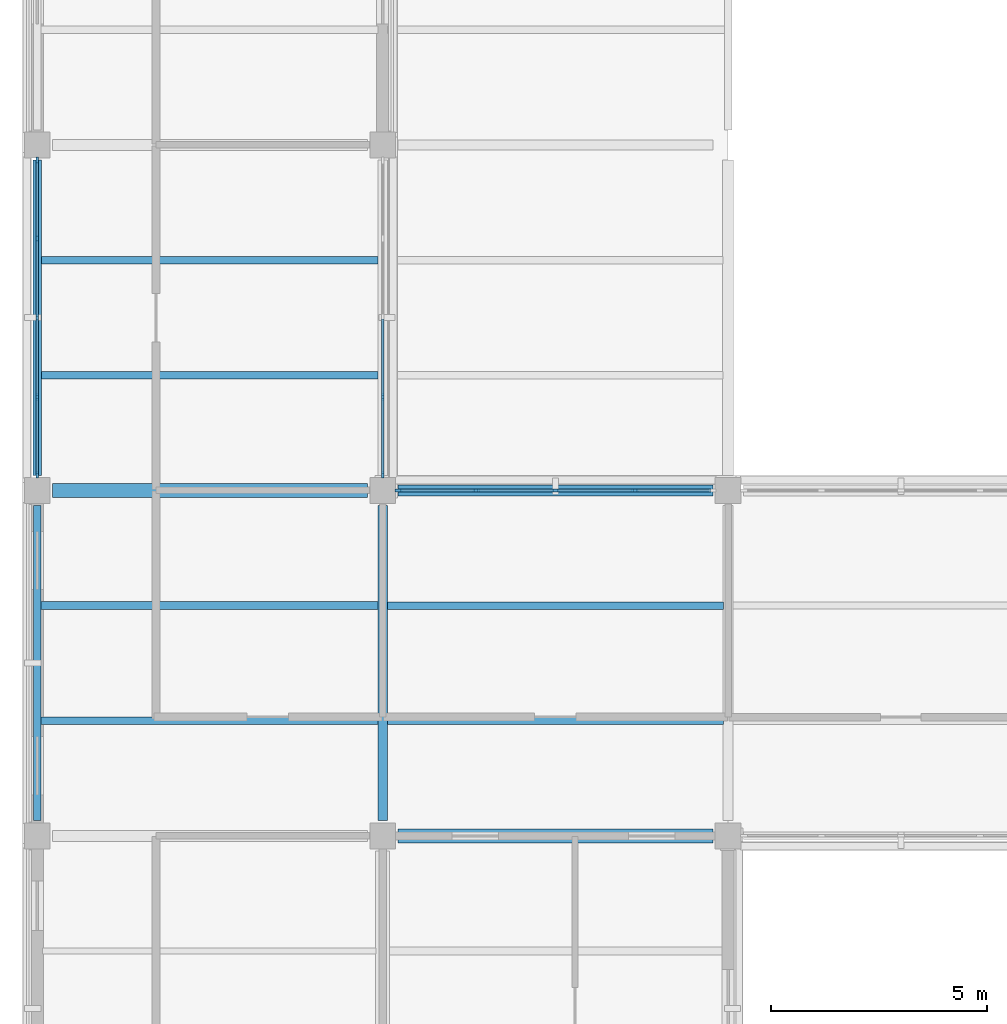
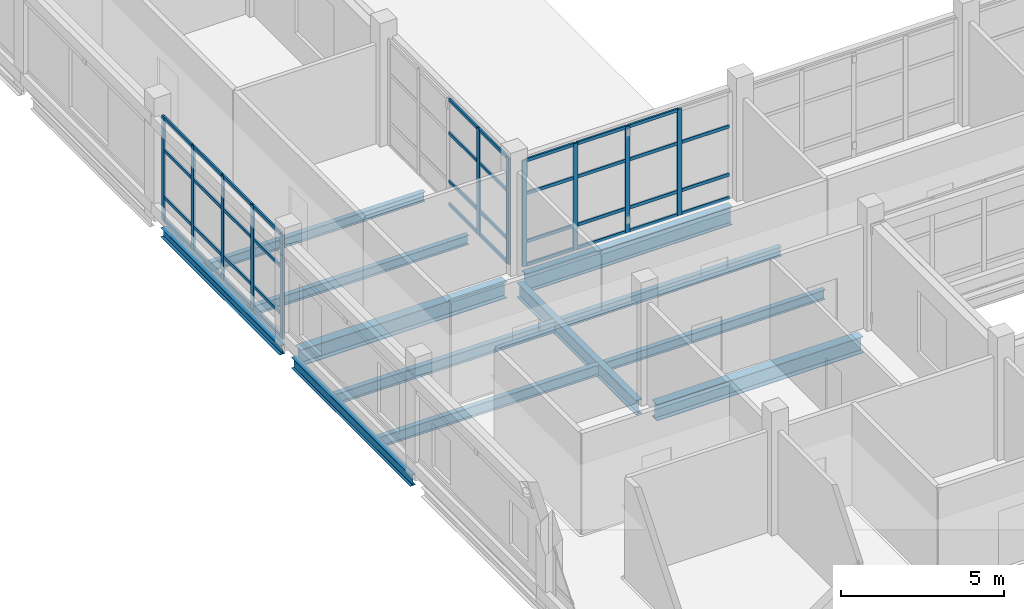
# One storey, part 15 of 121: 50 members, 12 beams, 3 elements without a shape of their own.
"""IFC4 building model written with IfcOpenShell, lengths in metres."""

from ifc_helpers import new_model, si_unit, derived_unit, direction, frame, origin, origin_2d, place, context, subcontext, project, spatial, rectangle, i_section, extrude, material, layer, layer_set, material_profile, profile_set, type_object, element, aggregate, save


model = new_model("IFC4")

# Units and contexts
model_context = context("Model", 3, precision=1e-05, world=origin(), true_north=direction((0.0, 1.0)))
body_context = subcontext(model_context, "Body", "Model", "MODEL_VIEW")
ifc_project = project(units=[si_unit("LENGTHUNIT", "METRE"), si_unit("AREAUNIT", "SQUARE_METRE"), si_unit("VOLUMEUNIT", "CUBIC_METRE"), si_unit("PLANEANGLEUNIT", "RADIAN"), si_unit("MASSUNIT", "GRAM", prefix="KILO"), derived_unit("THERMALTRANSMITTANCEUNIT", [(si_unit("MASSUNIT", "GRAM", prefix="KILO"), 1), (si_unit("TIMEUNIT", "SECOND"), -3), (si_unit("THERMODYNAMICTEMPERATUREUNIT", "KELVIN"), -1)])], contexts=[model_context])

# Site, building, storey
site_placement = place(None, origin())
site = spatial("IfcSite", under=ifc_project, at=site_placement, CompositionType="ELEMENT")
building_placement = place(site_placement, origin())
building = spatial("IfcBuilding", under=site, at=building_placement, Name="Veyamyaing Civic Hall", CompositionType="ELEMENT")
storey_placement = place(building_placement, frame((0.0, 0.0, 5.280029296875)))
storey = spatial("IfcBuildingStorey", under=building, at=storey_placement, Name="L01", CompositionType="ELEMENT", Elevation=5.280029296875)

# Beams
ifc_material_1 = material(Name="Steel ASTM A992", Category="steel")
ifc_material_profile_1 = material_profile(ifc_material_1, i_section(OverallWidth=0.256103515625, OverallDepth=0.693115234375, WebThickness=0.014404296875, FlangeThickness=0.023681640625, FilletRadius=0.013916015625, at=origin_2d()), Name="W690X170")
ifc_profile_set_1 = profile_set([ifc_material_profile_1], Name="Steel ASTM A992")
beam_type_1 = type_object("IfcBeamType", Name="B-04", PredefinedType="BEAM", material=ifc_profile_set_1)
beam_1_placement = place(storey_placement, frame((8.35009765625, 56.0, -0.591552734375), z_axis=(1.0, 0.0, 0.0), x_axis=(0.0, 1.0, 0.0)))
element("IfcBeam", 1, at=beam_1_placement, inside=storey, type_object=beam_type_1, Name="Girder B-04 L01 Grid H 2-3", PredefinedType="BEAM", context=body_context, shape_type="SweptSolid", body=[
    extrude(i_section(OverallWidth=0.256103515625, OverallDepth=0.693115234375, WebThickness=0.014404296875, FlangeThickness=0.023681640625, FilletRadius=0.013916015625, at=origin_2d()), origin(), (0.0, 0.0, 1.0), 7.2998046875),
])
ifc_material_profile_2 = material_profile(ifc_material_1, i_section(OverallWidth=0.179931640625, OverallDepth=0.4130859375, WebThickness=0.009765625, FlangeThickness=0.01611328125, FilletRadius=0.010009765625, at=origin_2d()), Name="W410X74")
ifc_profile_set_2 = profile_set([ifc_material_profile_2], Name="Steel ASTM A992")
beam_type_2 = type_object("IfcBeamType", Name="B-10", PredefinedType="SPANDREL", material=ifc_profile_set_2)
beam_2_placement = place(storey_placement, frame((0.0, 48.35009765625, -0.451416015625), z_axis=(0.0, 1.0, 0.0), x_axis=(-1.0, 0.0, 0.0)))
element("IfcBeam", 2, at=beam_2_placement, inside=storey, type_object=beam_type_2, Name="Girder B-10 L01 Grid 1 G-H", PredefinedType="SPANDREL", context=body_context, shape_type="SweptSolid", body=[
    extrude(i_section(OverallWidth=0.179931640625, OverallDepth=0.4130859375, WebThickness=0.009765625, FlangeThickness=0.01611328125, FilletRadius=0.010009765625, at=origin_2d()), origin(), (0.0, 0.0, 1.0), 7.2998046875),
])
ifc_material_profile_3 = material_profile(ifc_material_1, i_section(OverallWidth=0.2041015625, OverallDepth=0.35009765625, WebThickness=0.0078125, FlangeThickness=0.01513671875, FilletRadius=0.010009765625, at=origin_2d()), Name="W360X72")
ifc_profile_set_3 = profile_set([ifc_material_profile_3], Name="Steel ASTM A992")
beam_type_3 = type_object("IfcBeamType", Name="B-11", PredefinedType="SPANDREL", material=ifc_profile_set_3)
beam_3_placement = place(storey_placement, frame((0.0, 56.35009765625, -0.419921875), z_axis=(0.0, 1.0, 0.0), x_axis=(-1.0, 0.0, 0.0)))
element("IfcBeam", 3, at=beam_3_placement, inside=storey, type_object=beam_type_3, Name="Girder B-11 L01 Grid 1 H-J", PredefinedType="SPANDREL", context=body_context, shape_type="SweptSolid", body=[
    extrude(i_section(OverallWidth=0.2041015625, OverallDepth=0.35009765625, WebThickness=0.0078125, FlangeThickness=0.01513671875, FilletRadius=0.010009765625, at=origin_2d()), origin(), (0.0, 0.0, 1.0), 7.2998046875),
])
ifc_material_profile_4 = material_profile(ifc_material_1, i_section(OverallWidth=0.324951171875, OverallDepth=0.615966796875, WebThickness=0.013916015625, FlangeThickness=0.021484375, FilletRadius=0.013916015625, at=origin_2d()), Name="W610X174")
ifc_profile_set_4 = profile_set([ifc_material_profile_4], Name="Steel ASTM A992")
beam_type_4 = type_object("IfcBeamType", Name="B-15", PredefinedType="BEAM", material=ifc_profile_set_4)
for number, where, z_axis, x_axis, name in (
    (4, (8.35009765625, 48.0, -0.552978515625), (1.0, 0.0, 0.0), (0.0, 1.0, 0.0), "Girder B-15 L01 Grid G 2-3"),
    (5, (0.35009765625, 56.0, -0.552978515625), (1.0, 0.0, 0.0), (0.0, 1.0, 0.0), "Girder B-15 L01 Grid H 1-2"),
):
    element("IfcBeam", number, at=place(storey_placement, frame(where, z_axis=z_axis, x_axis=x_axis)), inside=storey, type_object=beam_type_4, Name=name, PredefinedType="BEAM", context=body_context, shape_type="SweptSolid", body=[
        extrude(i_section(OverallWidth=0.324951171875, OverallDepth=0.615966796875, WebThickness=0.013916015625, FlangeThickness=0.021484375, FilletRadius=0.013916015625, at=origin_2d()), origin(), (0.0, 0.0, 1.0), 7.2998046875),
    ])
ifc_material_profile_5 = material_profile(ifc_material_1, i_section(OverallWidth=0.214111328125, OverallDepth=0.549072265625, WebThickness=0.0146484375, FlangeThickness=0.023681640625, FilletRadius=0.011962890625, at=origin_2d()), Name="W530X138")
ifc_profile_set_5 = profile_set([ifc_material_profile_5], Name="Steel ASTM A992")
beam_type_5 = type_object("IfcBeamType", Name="B-16", PredefinedType="BEAM", material=ifc_profile_set_5)
beam_4_placement = place(storey_placement, frame((8.0, 48.35009765625, -0.51953125), z_axis=(0.0, 1.0, 0.0), x_axis=(-1.0, 0.0, 0.0)))
element("IfcBeam", 6, at=beam_4_placement, inside=storey, type_object=beam_type_5, Name="Girder B-16 L01 Grid 2 G-H", PredefinedType="BEAM", context=body_context, shape_type="SweptSolid", body=[
    extrude(i_section(OverallWidth=0.214111328125, OverallDepth=0.549072265625, WebThickness=0.0146484375, FlangeThickness=0.023681640625, FilletRadius=0.011962890625, at=origin_2d()), origin(), (0.0, 0.0, 1.0), 7.2998046875),
])

# Curtain wall, members
ifc_material_2 = material(Name="Anodised aluminium 6063-T6", Category="aluminium")
ifc_layer = layer(ifc_material_2, 0.159912109375, Name="Anodised aluminium 6063-T6")
ifc_layer_set = layer_set([ifc_layer], Name="Anodised aluminium 6063-T6")
curtain_wall_type = type_object("IfcCurtainWallType", Name="CW-02", PredefinedType="NOTDEFINED", material=ifc_layer_set)
curtain_wall_1_placement = place(storey_placement, origin())
curtain_wall_1 = element("IfcCurtainWall", 7, at=curtain_wall_1_placement, inside=storey, type_object=curtain_wall_type, Name="Unitized curtain wall CW-02 L01 W 1.8", PredefinedType="NOTDEFINED")
ifc_material_profile_6 = material_profile(ifc_material_2, rectangle(XDim=0.06494140625, YDim=0.159912109375, at=origin_2d()), Name="ALU-MUL-65X160")
ifc_profile_set_6 = profile_set([ifc_material_profile_6], Name="Anodised aluminium 6063-T6")
member_type_1 = type_object("IfcMemberType", Name="CWM-01", PredefinedType="MULLION", material=ifc_profile_set_6)
member_1_placement = place(storey_placement, frame((0.0, 56.362548828125, 0.0), z_axis=(0.0, 0.0, 1.0), x_axis=(-1.0, 0.0, 0.0)))
member_1 = element("IfcMember", 8, at=member_1_placement, type_object=member_type_1, Name="CW-02 mullion 1", PredefinedType="MULLION", context=body_context, shape_type="SweptSolid", body=[
    extrude(rectangle(XDim=0.06494140625, YDim=0.159912109375, at=origin_2d()), origin(), (0.0, 0.0, 1.0), 3.909912109375),
])
member_2_placement = place(storey_placement, frame((0.0, 58.1650390625, 0.0), z_axis=(0.0, 0.0, 1.0), x_axis=(-1.0, 0.0, 0.0)))
member_2 = element("IfcMember", 9, at=member_2_placement, type_object=member_type_1, Name="CW-02 mullion 2", PredefinedType="MULLION", context=body_context, shape_type="SweptSolid", body=[
    extrude(rectangle(XDim=0.06494140625, YDim=0.159912109375, at=origin_2d()), origin(), (0.0, 0.0, 1.0), 3.909912109375),
])
member_3_placement = place(storey_placement, frame((0.0, 60.0, 0.0), z_axis=(0.0, 0.0, 1.0), x_axis=(-1.0, 0.0, 0.0)))
member_3 = element("IfcMember", 10, at=member_3_placement, type_object=member_type_1, Name="CW-02 mullion 3", PredefinedType="MULLION", context=body_context, shape_type="SweptSolid", body=[
    extrude(rectangle(XDim=0.06494140625, YDim=0.159912109375, at=origin_2d()), origin(), (0.0, 0.0, 1.0), 3.909912109375),
])
member_4_placement = place(storey_placement, frame((0.0, 61.8349609375, 0.0), z_axis=(0.0, 0.0, 1.0), x_axis=(-1.0, 0.0, 0.0)))
member_4 = element("IfcMember", 11, at=member_4_placement, type_object=member_type_1, Name="CW-02 mullion 4", PredefinedType="MULLION", context=body_context, shape_type="SweptSolid", body=[
    extrude(rectangle(XDim=0.06494140625, YDim=0.159912109375, at=origin_2d()), origin(), (0.0, 0.0, 1.0), 3.909912109375),
])
member_5_placement = place(storey_placement, frame((0.0, 63.637451171875, 0.0), z_axis=(0.0, 0.0, 1.0), x_axis=(-1.0, 0.0, 0.0)))
member_5 = element("IfcMember", 12, at=member_5_placement, type_object=member_type_1, Name="CW-02 mullion 5", PredefinedType="MULLION", context=body_context, shape_type="SweptSolid", body=[
    extrude(rectangle(XDim=0.06494140625, YDim=0.159912109375, at=origin_2d()), origin(), (0.0, 0.0, 1.0), 3.909912109375),
])

curtain_wall_2_placement = place(storey_placement, origin())
curtain_wall_2 = element("IfcCurtainWall", 13, at=curtain_wall_2_placement, inside=storey, type_object=curtain_wall_type, Name="Unitized curtain wall CW-02 L01 E 1.8", PredefinedType="NOTDEFINED")
member_6_placement = place(storey_placement, frame((8.0, 56.362548828125, 0.0), z_axis=(0.0, 0.0, 1.0), x_axis=(-1.0, 0.0, 0.0)))
member_6 = element("IfcMember", 14, at=member_6_placement, type_object=member_type_1, Name="CW-02 mullion 1", PredefinedType="MULLION", context=body_context, shape_type="SweptSolid", body=[
    extrude(rectangle(XDim=0.06494140625, YDim=0.159912109375, at=origin_2d()), origin(), (0.0, 0.0, 1.0), 3.973876953125),
])
member_7_placement = place(storey_placement, frame((8.0, 58.1650390625, 0.0), z_axis=(0.0, 0.0, 1.0), x_axis=(-1.0, 0.0, 0.0)))
member_7 = element("IfcMember", 15, at=member_7_placement, type_object=member_type_1, Name="CW-02 mullion 2", PredefinedType="MULLION", context=body_context, shape_type="SweptSolid", body=[
    extrude(rectangle(XDim=0.06494140625, YDim=0.159912109375, at=origin_2d()), origin(), (0.0, 0.0, 1.0), 3.973876953125),
])

curtain_wall_3_placement = place(storey_placement, origin())
curtain_wall_3 = element("IfcCurtainWall", 16, at=curtain_wall_3_placement, inside=storey, type_object=curtain_wall_type, Name="Unitized curtain wall CW-02 L01 N 2.7", PredefinedType="NOTDEFINED")
member_8_placement = place(storey_placement, frame((8.362548828125, 56.0, 0.0), z_axis=(0.0, 0.0, 1.0), x_axis=(0.0, 1.0, 0.0)))
member_8 = element("IfcMember", 17, at=member_8_placement, type_object=member_type_1, Name="CW-02 mullion 1", PredefinedType="MULLION", context=body_context, shape_type="SweptSolid", body=[
    extrude(rectangle(XDim=0.06494140625, YDim=0.159912109375, at=origin_2d()), origin(), (0.0, 0.0, 1.0), 3.973876953125),
])
member_9_placement = place(storey_placement, frame((10.1650390625, 56.0, 0.0), z_axis=(0.0, 0.0, 1.0), x_axis=(0.0, 1.0, 0.0)))
member_9 = element("IfcMember", 18, at=member_9_placement, type_object=member_type_1, Name="CW-02 mullion 2", PredefinedType="MULLION", context=body_context, shape_type="SweptSolid", body=[
    extrude(rectangle(XDim=0.06494140625, YDim=0.159912109375, at=origin_2d()), origin(), (0.0, 0.0, 1.0), 3.973876953125),
])
member_10_placement = place(storey_placement, frame((12.0, 56.0, 0.0), z_axis=(0.0, 0.0, 1.0), x_axis=(0.0, 1.0, 0.0)))
member_10 = element("IfcMember", 19, at=member_10_placement, type_object=member_type_1, Name="CW-02 mullion 3", PredefinedType="MULLION", context=body_context, shape_type="SweptSolid", body=[
    extrude(rectangle(XDim=0.06494140625, YDim=0.159912109375, at=origin_2d()), origin(), (0.0, 0.0, 1.0), 3.973876953125),
])
member_11_placement = place(storey_placement, frame((13.8349609375, 56.0, 0.0), z_axis=(0.0, 0.0, 1.0), x_axis=(0.0, 1.0, 0.0)))
member_11 = element("IfcMember", 20, at=member_11_placement, type_object=member_type_1, Name="CW-02 mullion 4", PredefinedType="MULLION", context=body_context, shape_type="SweptSolid", body=[
    extrude(rectangle(XDim=0.06494140625, YDim=0.159912109375, at=origin_2d()), origin(), (0.0, 0.0, 1.0), 3.973876953125),
])

# Member
ifc_material_profile_7 = material_profile(ifc_material_2, rectangle(XDim=0.06494140625, YDim=0.1201171875, at=origin_2d()), Name="ALU-TRN-65X120")
ifc_profile_set_7 = profile_set([ifc_material_profile_7], Name="Anodised aluminium 6063-T6")
member_type_2 = type_object("IfcMemberType", Name="CWT-01", PredefinedType="USERDEFINED", material=ifc_profile_set_7)
member_12_placement = place(storey_placement, frame((0.0, 56.39501953125, 0.032470703125), z_axis=(0.0, 1.0, 0.0), x_axis=(-1.0, 0.0, 0.0)))
member_12 = element("IfcMember", 21, at=member_12_placement, type_object=member_type_2, Name="CW-02 transom 1.1", ObjectType="TRANSOM", PredefinedType="USERDEFINED", context=body_context, shape_type="SweptSolid", body=[
    extrude(rectangle(XDim=0.06494140625, YDim=0.1201171875, at=origin_2d()), origin(), (0.0, 0.0, 1.0), 1.737548828125),
])

member_13_placement = place(storey_placement, frame((0.0, 56.39501953125, 0.89990234375), z_axis=(0.0, 1.0, 0.0), x_axis=(-1.0, 0.0, 0.0)))
member_13 = element("IfcMember", 22, at=member_13_placement, type_object=member_type_2, Name="CW-02 transom 1.2", ObjectType="TRANSOM", PredefinedType="USERDEFINED", context=body_context, shape_type="SweptSolid", body=[
    extrude(rectangle(XDim=0.06494140625, YDim=0.1201171875, at=origin_2d()), origin(), (0.0, 0.0, 1.0), 1.737548828125),
])

member_14_placement = place(storey_placement, frame((0.0, 56.39501953125, 2.65869140625), z_axis=(0.0, 1.0, 0.0), x_axis=(-1.0, 0.0, 0.0)))
member_14 = element("IfcMember", 23, at=member_14_placement, type_object=member_type_2, Name="CW-02 transom 1.3", ObjectType="TRANSOM", PredefinedType="USERDEFINED", context=body_context, shape_type="SweptSolid", body=[
    extrude(rectangle(XDim=0.06494140625, YDim=0.1201171875, at=origin_2d()), origin(), (0.0, 0.0, 1.0), 1.737548828125),
])

member_15_placement = place(storey_placement, frame((0.0, 56.39501953125, 3.87744140625), z_axis=(0.0, 1.0, 0.0), x_axis=(-1.0, 0.0, 0.0)))
member_15 = element("IfcMember", 24, at=member_15_placement, type_object=member_type_2, Name="CW-02 transom 1.4", ObjectType="TRANSOM", PredefinedType="USERDEFINED", context=body_context, shape_type="SweptSolid", body=[
    extrude(rectangle(XDim=0.06494140625, YDim=0.1201171875, at=origin_2d()), origin(), (0.0, 0.0, 1.0), 1.737548828125),
])

member_16_placement = place(storey_placement, frame((0.0, 58.197509765625, 0.032470703125), z_axis=(0.0, 1.0, 0.0), x_axis=(-1.0, 0.0, 0.0)))
member_16 = element("IfcMember", 25, at=member_16_placement, type_object=member_type_2, Name="CW-02 transom 2.1", ObjectType="TRANSOM", PredefinedType="USERDEFINED", context=body_context, shape_type="SweptSolid", body=[
    extrude(rectangle(XDim=0.06494140625, YDim=0.1201171875, at=origin_2d()), origin(), (0.0, 0.0, 1.0), 1.77001953125),
])

member_17_placement = place(storey_placement, frame((0.0, 58.197509765625, 0.89990234375), z_axis=(0.0, 1.0, 0.0), x_axis=(-1.0, 0.0, 0.0)))
member_17 = element("IfcMember", 26, at=member_17_placement, type_object=member_type_2, Name="CW-02 transom 2.2", ObjectType="TRANSOM", PredefinedType="USERDEFINED", context=body_context, shape_type="SweptSolid", body=[
    extrude(rectangle(XDim=0.06494140625, YDim=0.1201171875, at=origin_2d()), origin(), (0.0, 0.0, 1.0), 1.77001953125),
])

member_18_placement = place(storey_placement, frame((0.0, 58.197509765625, 2.65869140625), z_axis=(0.0, 1.0, 0.0), x_axis=(-1.0, 0.0, 0.0)))
member_18 = element("IfcMember", 27, at=member_18_placement, type_object=member_type_2, Name="CW-02 transom 2.3", ObjectType="TRANSOM", PredefinedType="USERDEFINED", context=body_context, shape_type="SweptSolid", body=[
    extrude(rectangle(XDim=0.06494140625, YDim=0.1201171875, at=origin_2d()), origin(), (0.0, 0.0, 1.0), 1.77001953125),
])

member_19_placement = place(storey_placement, frame((0.0, 58.197509765625, 3.87744140625), z_axis=(0.0, 1.0, 0.0), x_axis=(-1.0, 0.0, 0.0)))
member_19 = element("IfcMember", 28, at=member_19_placement, type_object=member_type_2, Name="CW-02 transom 2.4", ObjectType="TRANSOM", PredefinedType="USERDEFINED", context=body_context, shape_type="SweptSolid", body=[
    extrude(rectangle(XDim=0.06494140625, YDim=0.1201171875, at=origin_2d()), origin(), (0.0, 0.0, 1.0), 1.77001953125),
])

member_20_placement = place(storey_placement, frame((0.0, 60.032470703125, 0.032470703125), z_axis=(0.0, 1.0, 0.0), x_axis=(-1.0, 0.0, 0.0)))
member_20 = element("IfcMember", 29, at=member_20_placement, type_object=member_type_2, Name="CW-02 transom 3.1", ObjectType="TRANSOM", PredefinedType="USERDEFINED", context=body_context, shape_type="SweptSolid", body=[
    extrude(rectangle(XDim=0.06494140625, YDim=0.1201171875, at=origin_2d()), origin(), (0.0, 0.0, 1.0), 1.77001953125),
])

member_21_placement = place(storey_placement, frame((0.0, 60.032470703125, 0.89990234375), z_axis=(0.0, 1.0, 0.0), x_axis=(-1.0, 0.0, 0.0)))
member_21 = element("IfcMember", 30, at=member_21_placement, type_object=member_type_2, Name="CW-02 transom 3.2", ObjectType="TRANSOM", PredefinedType="USERDEFINED", context=body_context, shape_type="SweptSolid", body=[
    extrude(rectangle(XDim=0.06494140625, YDim=0.1201171875, at=origin_2d()), origin(), (0.0, 0.0, 1.0), 1.77001953125),
])

member_22_placement = place(storey_placement, frame((0.0, 60.032470703125, 2.65869140625), z_axis=(0.0, 1.0, 0.0), x_axis=(-1.0, 0.0, 0.0)))
member_22 = element("IfcMember", 31, at=member_22_placement, type_object=member_type_2, Name="CW-02 transom 3.3", ObjectType="TRANSOM", PredefinedType="USERDEFINED", context=body_context, shape_type="SweptSolid", body=[
    extrude(rectangle(XDim=0.06494140625, YDim=0.1201171875, at=origin_2d()), origin(), (0.0, 0.0, 1.0), 1.77001953125),
])

member_23_placement = place(storey_placement, frame((0.0, 60.032470703125, 3.87744140625), z_axis=(0.0, 1.0, 0.0), x_axis=(-1.0, 0.0, 0.0)))
member_23 = element("IfcMember", 32, at=member_23_placement, type_object=member_type_2, Name="CW-02 transom 3.4", ObjectType="TRANSOM", PredefinedType="USERDEFINED", context=body_context, shape_type="SweptSolid", body=[
    extrude(rectangle(XDim=0.06494140625, YDim=0.1201171875, at=origin_2d()), origin(), (0.0, 0.0, 1.0), 1.77001953125),
])

member_24_placement = place(storey_placement, frame((0.0, 61.867431640625, 0.032470703125), z_axis=(0.0, 1.0, 0.0), x_axis=(-1.0, 0.0, 0.0)))
member_24 = element("IfcMember", 33, at=member_24_placement, type_object=member_type_2, Name="CW-02 transom 4.1", ObjectType="TRANSOM", PredefinedType="USERDEFINED", context=body_context, shape_type="SweptSolid", body=[
    extrude(rectangle(XDim=0.06494140625, YDim=0.1201171875, at=origin_2d()), origin(), (0.0, 0.0, 1.0), 1.737548828125),
])

member_25_placement = place(storey_placement, frame((0.0, 61.867431640625, 0.89990234375), z_axis=(0.0, 1.0, 0.0), x_axis=(-1.0, 0.0, 0.0)))
member_25 = element("IfcMember", 34, at=member_25_placement, type_object=member_type_2, Name="CW-02 transom 4.2", ObjectType="TRANSOM", PredefinedType="USERDEFINED", context=body_context, shape_type="SweptSolid", body=[
    extrude(rectangle(XDim=0.06494140625, YDim=0.1201171875, at=origin_2d()), origin(), (0.0, 0.0, 1.0), 1.737548828125),
])

member_26_placement = place(storey_placement, frame((0.0, 61.867431640625, 2.65869140625), z_axis=(0.0, 1.0, 0.0), x_axis=(-1.0, 0.0, 0.0)))
member_26 = element("IfcMember", 35, at=member_26_placement, type_object=member_type_2, Name="CW-02 transom 4.3", ObjectType="TRANSOM", PredefinedType="USERDEFINED", context=body_context, shape_type="SweptSolid", body=[
    extrude(rectangle(XDim=0.06494140625, YDim=0.1201171875, at=origin_2d()), origin(), (0.0, 0.0, 1.0), 1.737548828125),
])

member_27_placement = place(storey_placement, frame((0.0, 61.867431640625, 3.87744140625), z_axis=(0.0, 1.0, 0.0), x_axis=(-1.0, 0.0, 0.0)))
member_27 = element("IfcMember", 36, at=member_27_placement, type_object=member_type_2, Name="CW-02 transom 4.4", ObjectType="TRANSOM", PredefinedType="USERDEFINED", context=body_context, shape_type="SweptSolid", body=[
    extrude(rectangle(XDim=0.06494140625, YDim=0.1201171875, at=origin_2d()), origin(), (0.0, 0.0, 1.0), 1.737548828125),
])

aggregate(curtain_wall_1, [member_1, member_2, member_3, member_4, member_5, member_12, member_13, member_14, member_15, member_16, member_17, member_18, member_19, member_20, member_21, member_22, member_23, member_24, member_25, member_26, member_27])

member_28_placement = place(storey_placement, frame((8.0, 56.39501953125, 0.032470703125), z_axis=(0.0, 1.0, 0.0), x_axis=(-1.0, 0.0, 0.0)))
member_28 = element("IfcMember", 37, at=member_28_placement, type_object=member_type_2, Name="CW-02 transom 1.1", ObjectType="TRANSOM", PredefinedType="USERDEFINED", context=body_context, shape_type="SweptSolid", body=[
    extrude(rectangle(XDim=0.06494140625, YDim=0.1201171875, at=origin_2d()), origin(), (0.0, 0.0, 1.0), 1.737548828125),
])

member_29_placement = place(storey_placement, frame((8.0, 56.39501953125, 0.89990234375), z_axis=(0.0, 1.0, 0.0), x_axis=(-1.0, 0.0, 0.0)))
member_29 = element("IfcMember", 38, at=member_29_placement, type_object=member_type_2, Name="CW-02 transom 1.2", ObjectType="TRANSOM", PredefinedType="USERDEFINED", context=body_context, shape_type="SweptSolid", body=[
    extrude(rectangle(XDim=0.06494140625, YDim=0.1201171875, at=origin_2d()), origin(), (0.0, 0.0, 1.0), 1.737548828125),
])

member_30_placement = place(storey_placement, frame((8.0, 56.39501953125, 2.702392578125), z_axis=(0.0, 1.0, 0.0), x_axis=(-1.0, 0.0, 0.0)))
member_30 = element("IfcMember", 39, at=member_30_placement, type_object=member_type_2, Name="CW-02 transom 1.3", ObjectType="TRANSOM", PredefinedType="USERDEFINED", context=body_context, shape_type="SweptSolid", body=[
    extrude(rectangle(XDim=0.06494140625, YDim=0.1201171875, at=origin_2d()), origin(), (0.0, 0.0, 1.0), 1.737548828125),
])

member_31_placement = place(storey_placement, frame((8.0, 56.39501953125, 3.94140625), z_axis=(0.0, 1.0, 0.0), x_axis=(-1.0, 0.0, 0.0)))
member_31 = element("IfcMember", 40, at=member_31_placement, type_object=member_type_2, Name="CW-02 transom 1.4", ObjectType="TRANSOM", PredefinedType="USERDEFINED", context=body_context, shape_type="SweptSolid", body=[
    extrude(rectangle(XDim=0.06494140625, YDim=0.1201171875, at=origin_2d()), origin(), (0.0, 0.0, 1.0), 1.737548828125),
])

member_32_placement = place(storey_placement, frame((8.0, 58.197509765625, 0.032470703125), z_axis=(0.0, 1.0, 0.0), x_axis=(-1.0, 0.0, 0.0)))
member_32 = element("IfcMember", 41, at=member_32_placement, type_object=member_type_2, Name="CW-02 transom 2.1", ObjectType="TRANSOM", PredefinedType="USERDEFINED", context=body_context, shape_type="SweptSolid", body=[
    extrude(rectangle(XDim=0.06494140625, YDim=0.1201171875, at=origin_2d()), origin(), (0.0, 0.0, 1.0), 1.77001953125),
])

member_33_placement = place(storey_placement, frame((8.0, 58.197509765625, 0.89990234375), z_axis=(0.0, 1.0, 0.0), x_axis=(-1.0, 0.0, 0.0)))
member_33 = element("IfcMember", 42, at=member_33_placement, type_object=member_type_2, Name="CW-02 transom 2.2", ObjectType="TRANSOM", PredefinedType="USERDEFINED", context=body_context, shape_type="SweptSolid", body=[
    extrude(rectangle(XDim=0.06494140625, YDim=0.1201171875, at=origin_2d()), origin(), (0.0, 0.0, 1.0), 1.77001953125),
])

member_34_placement = place(storey_placement, frame((8.0, 58.197509765625, 2.702392578125), z_axis=(0.0, 1.0, 0.0), x_axis=(-1.0, 0.0, 0.0)))
member_34 = element("IfcMember", 43, at=member_34_placement, type_object=member_type_2, Name="CW-02 transom 2.3", ObjectType="TRANSOM", PredefinedType="USERDEFINED", context=body_context, shape_type="SweptSolid", body=[
    extrude(rectangle(XDim=0.06494140625, YDim=0.1201171875, at=origin_2d()), origin(), (0.0, 0.0, 1.0), 1.77001953125),
])

member_35_placement = place(storey_placement, frame((8.0, 58.197509765625, 3.94140625), z_axis=(0.0, 1.0, 0.0), x_axis=(-1.0, 0.0, 0.0)))
member_35 = element("IfcMember", 44, at=member_35_placement, type_object=member_type_2, Name="CW-02 transom 2.4", ObjectType="TRANSOM", PredefinedType="USERDEFINED", context=body_context, shape_type="SweptSolid", body=[
    extrude(rectangle(XDim=0.06494140625, YDim=0.1201171875, at=origin_2d()), origin(), (0.0, 0.0, 1.0), 1.77001953125),
])

aggregate(curtain_wall_2, [member_6, member_7, member_28, member_29, member_30, member_31, member_32, member_33, member_34, member_35])

member_36_placement = place(storey_placement, frame((8.39501953125, 56.0, 0.032470703125), z_axis=(1.0, 0.0, 0.0), x_axis=(0.0, 1.0, 0.0)))
member_36 = element("IfcMember", 45, at=member_36_placement, type_object=member_type_2, Name="CW-02 transom 1.1", ObjectType="TRANSOM", PredefinedType="USERDEFINED", context=body_context, shape_type="SweptSolid", body=[
    extrude(rectangle(XDim=0.06494140625, YDim=0.1201171875, at=origin_2d()), origin(), (0.0, 0.0, 1.0), 1.737548828125),
])

member_37_placement = place(storey_placement, frame((8.39501953125, 56.0, 0.89990234375), z_axis=(1.0, 0.0, 0.0), x_axis=(0.0, 1.0, 0.0)))
member_37 = element("IfcMember", 46, at=member_37_placement, type_object=member_type_2, Name="CW-02 transom 1.2", ObjectType="TRANSOM", PredefinedType="USERDEFINED", context=body_context, shape_type="SweptSolid", body=[
    extrude(rectangle(XDim=0.06494140625, YDim=0.1201171875, at=origin_2d()), origin(), (0.0, 0.0, 1.0), 1.737548828125),
])

member_38_placement = place(storey_placement, frame((8.39501953125, 56.0, 2.702392578125), z_axis=(1.0, 0.0, 0.0), x_axis=(0.0, 1.0, 0.0)))
member_38 = element("IfcMember", 47, at=member_38_placement, type_object=member_type_2, Name="CW-02 transom 1.3", ObjectType="TRANSOM", PredefinedType="USERDEFINED", context=body_context, shape_type="SweptSolid", body=[
    extrude(rectangle(XDim=0.06494140625, YDim=0.1201171875, at=origin_2d()), origin(), (0.0, 0.0, 1.0), 1.737548828125),
])

member_39_placement = place(storey_placement, frame((8.39501953125, 56.0, 3.94140625), z_axis=(1.0, 0.0, 0.0), x_axis=(0.0, 1.0, 0.0)))
member_39 = element("IfcMember", 48, at=member_39_placement, type_object=member_type_2, Name="CW-02 transom 1.4", ObjectType="TRANSOM", PredefinedType="USERDEFINED", context=body_context, shape_type="SweptSolid", body=[
    extrude(rectangle(XDim=0.06494140625, YDim=0.1201171875, at=origin_2d()), origin(), (0.0, 0.0, 1.0), 1.737548828125),
])

member_40_placement = place(storey_placement, frame((10.197509765625, 56.0, 0.032470703125), z_axis=(1.0, 0.0, 0.0), x_axis=(0.0, 1.0, 0.0)))
member_40 = element("IfcMember", 49, at=member_40_placement, type_object=member_type_2, Name="CW-02 transom 2.1", ObjectType="TRANSOM", PredefinedType="USERDEFINED", context=body_context, shape_type="SweptSolid", body=[
    extrude(rectangle(XDim=0.06494140625, YDim=0.1201171875, at=origin_2d()), origin(), (0.0, 0.0, 1.0), 1.77001953125),
])

member_41_placement = place(storey_placement, frame((10.197509765625, 56.0, 0.89990234375), z_axis=(1.0, 0.0, 0.0), x_axis=(0.0, 1.0, 0.0)))
member_41 = element("IfcMember", 50, at=member_41_placement, type_object=member_type_2, Name="CW-02 transom 2.2", ObjectType="TRANSOM", PredefinedType="USERDEFINED", context=body_context, shape_type="SweptSolid", body=[
    extrude(rectangle(XDim=0.06494140625, YDim=0.1201171875, at=origin_2d()), origin(), (0.0, 0.0, 1.0), 1.77001953125),
])

member_42_placement = place(storey_placement, frame((10.197509765625, 56.0, 2.702392578125), z_axis=(1.0, 0.0, 0.0), x_axis=(0.0, 1.0, 0.0)))
member_42 = element("IfcMember", 51, at=member_42_placement, type_object=member_type_2, Name="CW-02 transom 2.3", ObjectType="TRANSOM", PredefinedType="USERDEFINED", context=body_context, shape_type="SweptSolid", body=[
    extrude(rectangle(XDim=0.06494140625, YDim=0.1201171875, at=origin_2d()), origin(), (0.0, 0.0, 1.0), 1.77001953125),
])

member_43_placement = place(storey_placement, frame((10.197509765625, 56.0, 3.94140625), z_axis=(1.0, 0.0, 0.0), x_axis=(0.0, 1.0, 0.0)))
member_43 = element("IfcMember", 52, at=member_43_placement, type_object=member_type_2, Name="CW-02 transom 2.4", ObjectType="TRANSOM", PredefinedType="USERDEFINED", context=body_context, shape_type="SweptSolid", body=[
    extrude(rectangle(XDim=0.06494140625, YDim=0.1201171875, at=origin_2d()), origin(), (0.0, 0.0, 1.0), 1.77001953125),
])

member_44_placement = place(storey_placement, frame((12.032470703125, 56.0, 0.032470703125), z_axis=(1.0, 0.0, 0.0), x_axis=(0.0, 1.0, 0.0)))
member_44 = element("IfcMember", 53, at=member_44_placement, type_object=member_type_2, Name="CW-02 transom 3.1", ObjectType="TRANSOM", PredefinedType="USERDEFINED", context=body_context, shape_type="SweptSolid", body=[
    extrude(rectangle(XDim=0.06494140625, YDim=0.1201171875, at=origin_2d()), origin(), (0.0, 0.0, 1.0), 1.77001953125),
])

member_45_placement = place(storey_placement, frame((12.032470703125, 56.0, 0.89990234375), z_axis=(1.0, 0.0, 0.0), x_axis=(0.0, 1.0, 0.0)))
member_45 = element("IfcMember", 54, at=member_45_placement, type_object=member_type_2, Name="CW-02 transom 3.2", ObjectType="TRANSOM", PredefinedType="USERDEFINED", context=body_context, shape_type="SweptSolid", body=[
    extrude(rectangle(XDim=0.06494140625, YDim=0.1201171875, at=origin_2d()), origin(), (0.0, 0.0, 1.0), 1.77001953125),
])

member_46_placement = place(storey_placement, frame((12.032470703125, 56.0, 2.702392578125), z_axis=(1.0, 0.0, 0.0), x_axis=(0.0, 1.0, 0.0)))
member_46 = element("IfcMember", 55, at=member_46_placement, type_object=member_type_2, Name="CW-02 transom 3.3", ObjectType="TRANSOM", PredefinedType="USERDEFINED", context=body_context, shape_type="SweptSolid", body=[
    extrude(rectangle(XDim=0.06494140625, YDim=0.1201171875, at=origin_2d()), origin(), (0.0, 0.0, 1.0), 1.77001953125),
])

member_47_placement = place(storey_placement, frame((12.032470703125, 56.0, 3.94140625), z_axis=(1.0, 0.0, 0.0), x_axis=(0.0, 1.0, 0.0)))
member_47 = element("IfcMember", 56, at=member_47_placement, type_object=member_type_2, Name="CW-02 transom 3.4", ObjectType="TRANSOM", PredefinedType="USERDEFINED", context=body_context, shape_type="SweptSolid", body=[
    extrude(rectangle(XDim=0.06494140625, YDim=0.1201171875, at=origin_2d()), origin(), (0.0, 0.0, 1.0), 1.77001953125),
])

member_48_placement = place(storey_placement, frame((13.867431640625, 56.0, 0.032470703125), z_axis=(1.0, 0.0, 0.0), x_axis=(0.0, 1.0, 0.0)))
member_48 = element("IfcMember", 57, at=member_48_placement, type_object=member_type_2, Name="CW-02 transom 4.1", ObjectType="TRANSOM", PredefinedType="USERDEFINED", context=body_context, shape_type="SweptSolid", body=[
    extrude(rectangle(XDim=0.06494140625, YDim=0.1201171875, at=origin_2d()), origin(), (0.0, 0.0, 1.0), 1.737548828125),
])

member_49_placement = place(storey_placement, frame((13.867431640625, 56.0, 0.89990234375), z_axis=(1.0, 0.0, 0.0), x_axis=(0.0, 1.0, 0.0)))
member_49 = element("IfcMember", 58, at=member_49_placement, type_object=member_type_2, Name="CW-02 transom 4.2", ObjectType="TRANSOM", PredefinedType="USERDEFINED", context=body_context, shape_type="SweptSolid", body=[
    extrude(rectangle(XDim=0.06494140625, YDim=0.1201171875, at=origin_2d()), origin(), (0.0, 0.0, 1.0), 1.737548828125),
])

member_50_placement = place(storey_placement, frame((13.867431640625, 56.0, 2.702392578125), z_axis=(1.0, 0.0, 0.0), x_axis=(0.0, 1.0, 0.0)))
member_50 = element("IfcMember", 59, at=member_50_placement, type_object=member_type_2, Name="CW-02 transom 4.3", ObjectType="TRANSOM", PredefinedType="USERDEFINED", context=body_context, shape_type="SweptSolid", body=[
    extrude(rectangle(XDim=0.06494140625, YDim=0.1201171875, at=origin_2d()), origin(), (0.0, 0.0, 1.0), 1.737548828125),
])

aggregate(curtain_wall_3, [member_8, member_9, member_10, member_11, member_36, member_37, member_38, member_39, member_40, member_41, member_42, member_43, member_44, member_45, member_46, member_47, member_48, member_49, member_50])

# Beams
ifc_material_profile_8 = material_profile(ifc_material_1, i_section(OverallWidth=0.177978515625, OverallDepth=0.406982421875, WebThickness=0.0078125, FlangeThickness=0.0126953125, FilletRadius=0.010009765625, at=origin_2d()), Name="W410X60")
ifc_profile_set_8 = profile_set([ifc_material_profile_8], Name="Steel ASTM A992")
beam_type_6 = type_object("IfcBeamType", Name="J-01", PredefinedType="JOIST", material=ifc_profile_set_8)
for number, where, z_axis, x_axis, name in (
    (60, (0.087890625, 50.666748046875, -0.448486328125), (1.0, 0.0, 0.0), (0.0, 1.0, 0.0), "Composite floor joist J-01 L01 1.7.1"),
    (61, (0.087890625, 53.333251953125, -0.448486328125), (1.0, 0.0, 0.0), (0.0, 1.0, 0.0), "Composite floor joist J-01 L01 1.7.2"),
):
    element("IfcBeam", number, at=place(storey_placement, frame(where, z_axis=z_axis, x_axis=x_axis)), inside=storey, type_object=beam_type_6, Name=name, PredefinedType="JOIST", context=body_context, shape_type="SweptSolid", body=[
        extrude(i_section(OverallWidth=0.177978515625, OverallDepth=0.406982421875, WebThickness=0.0078125, FlangeThickness=0.0126953125, FilletRadius=0.010009765625, at=origin_2d()), origin(), (0.0, 0.0, 1.0), 7.80712890625),
    ])
ifc_material_profile_9 = material_profile(ifc_material_1, i_section(OverallWidth=0.172119140625, OverallDepth=0.35791015625, WebThickness=0.0078125, FlangeThickness=0.01318359375, FilletRadius=0.010009765625, at=origin_2d()), Name="W360X57")
ifc_profile_set_9 = profile_set([ifc_material_profile_9], Name="Steel ASTM A992")
beam_type_7 = type_object("IfcBeamType", Name="J-02", PredefinedType="JOIST", material=ifc_profile_set_9)
for number, where, z_axis, x_axis, name in (
    (62, (0.10009765625, 58.666748046875, -0.424072265625), (1.0, 0.0, 0.0), (0.0, 1.0, 0.0), "Composite floor joist J-02 L01 1.8.1"),
    (63, (0.10009765625, 61.333251953125, -0.424072265625), (1.0, 0.0, 0.0), (0.0, 1.0, 0.0), "Composite floor joist J-02 L01 1.8.2"),
):
    element("IfcBeam", number, at=place(storey_placement, frame(where, z_axis=z_axis, x_axis=x_axis)), inside=storey, type_object=beam_type_7, Name=name, PredefinedType="JOIST", context=body_context, shape_type="SweptSolid", body=[
        extrude(i_section(OverallWidth=0.172119140625, OverallDepth=0.35791015625, WebThickness=0.0078125, FlangeThickness=0.01318359375, FilletRadius=0.010009765625, at=origin_2d()), origin(), (0.0, 0.0, 1.0), 7.786865234375),
    ])
for number, where, z_axis, x_axis, name in (
    (64, (8.10498046875, 50.666748046875, -0.424072265625), (1.0, 0.0, 0.0), (0.0, 1.0, 0.0), "Composite floor joist J-02 L01 2.7.1"),
    (65, (8.10498046875, 53.333251953125, -0.424072265625), (1.0, 0.0, 0.0), (0.0, 1.0, 0.0), "Composite floor joist J-02 L01 2.7.2"),
):
    element("IfcBeam", number, at=place(storey_placement, frame(where, z_axis=z_axis, x_axis=x_axis)), inside=storey, type_object=beam_type_7, Name=name, PredefinedType="JOIST", context=body_context, shape_type="SweptSolid", body=[
        extrude(i_section(OverallWidth=0.172119140625, OverallDepth=0.35791015625, WebThickness=0.0078125, FlangeThickness=0.01318359375, FilletRadius=0.010009765625, at=origin_2d()), origin(), (0.0, 0.0, 1.0), 7.781982421875),
    ])

save(model, "model.ifc")
